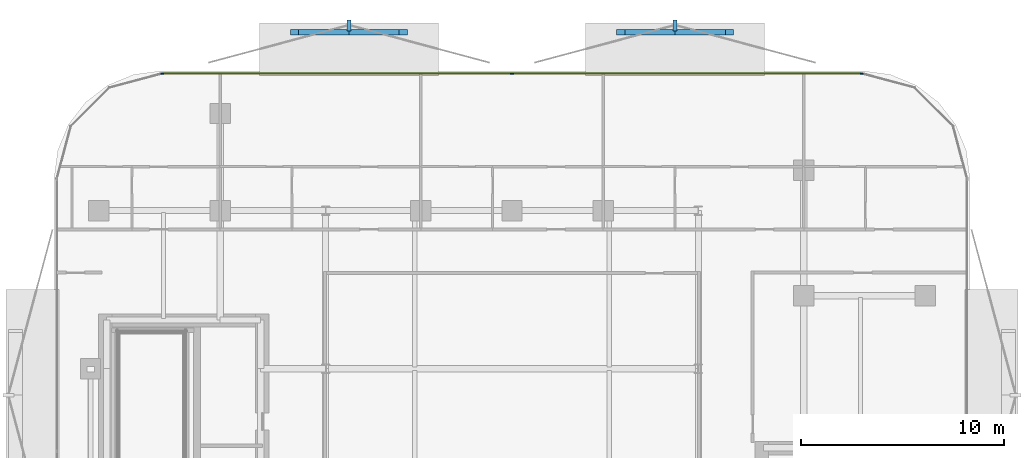
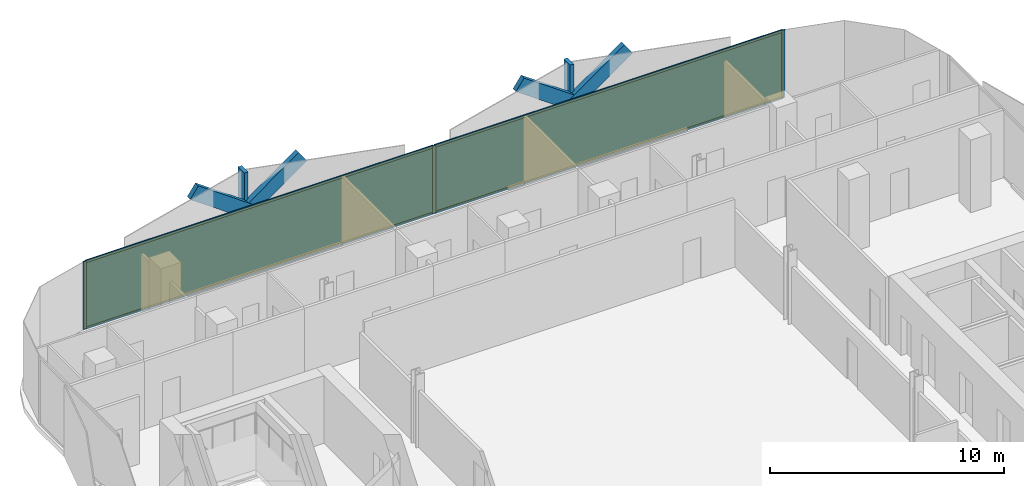
# One storey, part 12 of 17: 13 members, 2 plates, 1 curtain wall.
"""IFC4 building model written with IfcOpenShell, lengths in metres."""

from ifc_helpers import new_model, si_unit, direction, frame, frame_2d, origin, origin_2d, place, context, subcontext, project, spatial, rectangle, extrude, material, layer, layer_set, material_profile, profile_set, type_object, element, aggregate, save


model = new_model("IFC4")

# Units and contexts
model_context = context("Model", 3, precision=1e-05, world=origin(), true_north=direction((0.0, 1.0)))
body_context = subcontext(model_context, "Body", "Model", "MODEL_VIEW")
ifc_project = project(units=[si_unit("LENGTHUNIT", "METRE"), si_unit("AREAUNIT", "SQUARE_METRE"), si_unit("VOLUMEUNIT", "CUBIC_METRE"), si_unit("PLANEANGLEUNIT", "RADIAN"), si_unit("MASSUNIT", "GRAM", prefix="KILO")], contexts=[model_context])

# Member
ifc_material_1 = material(Name="Anodised Bronze Aluminium 6063-T6", Category="aluminium")
ifc_material_profile_1 = material_profile(ifc_material_1, rectangle(XDim=0.260009765625, YDim=0.699951171875, at=origin_2d()))
ifc_profile_set_1 = profile_set([ifc_material_profile_1], Name="Anodised Bronze Aluminium 6063-T6")
member_type_1 = type_object("IfcMemberType", Name="Bronze Diamond Solar-Screen Lattice Rib BDL-700", PredefinedType="MULLION", material=ifc_profile_set_1)
site_placement = place(None, origin())
building_placement = place(site_placement, origin())
storey_placement = place(building_placement, frame((0.0, 0.0, 165.0)))
member_1_placement = place(storey_placement, frame((-10.727294921875, 27.39990234375, -0.1298828125), z_axis=(0.815990902414, 0.0, 0.578064743067), x_axis=(0.0, 1.0, 0.0)))
member_1 = element("IfcMember", 1, at=member_1_placement, type_object=member_type_1, Name="L37 Bronze Diamond Solar Screen Lattice Rib 237A", PredefinedType="MULLION", context=body_context, shape_type="SweptSolid", body=[
    extrude(rectangle(XDim=0.260009765625, YDim=0.699951171875, at=origin_2d()), origin(), (0.0, 0.0, 1.0), 6.5732421875),
])

member_2_placement = place(storey_placement, frame((-5.363525390625, 27.39990234375, -0.1298828125), z_axis=(-0.815990902414, 0.0, 0.578064743067), x_axis=(0.0, -1.0, 0.0)))
member_2 = element("IfcMember", 2, at=member_2_placement, type_object=member_type_1, Name="L37 Bronze Diamond Solar Screen Lattice Rib 237B", PredefinedType="MULLION", context=body_context, shape_type="SweptSolid", body=[
    extrude(rectangle(XDim=0.260009765625, YDim=0.699951171875, at=origin_2d()), origin(), (0.0, 0.0, 1.0), 6.5732421875),
])

member_3_placement = place(storey_placement, frame((5.363525390625, 27.39990234375, -0.1298828125), z_axis=(0.815990902414, 0.0, 0.578064743067), x_axis=(0.0, 1.0, 0.0)))
member_3 = element("IfcMember", 3, at=member_3_placement, type_object=member_type_1, Name="L37 Bronze Diamond Solar Screen Lattice Rib 238A", PredefinedType="MULLION", context=body_context, shape_type="SweptSolid", body=[
    extrude(rectangle(XDim=0.260009765625, YDim=0.699951171875, at=origin_2d()), origin(), (0.0, 0.0, 1.0), 6.5732421875),
])

member_4_placement = place(storey_placement, frame((10.727294921875, 27.39990234375, -0.1298828125), z_axis=(-0.815990902414, 0.0, 0.578064743067), x_axis=(0.0, -1.0, 0.0)))
member_4 = element("IfcMember", 4, at=member_4_placement, type_object=member_type_1, Name="L37 Bronze Diamond Solar Screen Lattice Rib 238B", PredefinedType="MULLION", context=body_context, shape_type="SweptSolid", body=[
    extrude(rectangle(XDim=0.260009765625, YDim=0.699951171875, at=origin_2d()), origin(), (0.0, 0.0, 1.0), 6.5732421875),
])

ifc_material_2 = material(Name="Anodised Bronze Aluminium 6063-T6", Category="aluminium")
ifc_material_profile_2 = material_profile(ifc_material_2, rectangle(XDim=0.179931640625, YDim=0.5400390625, at=origin_2d()))
ifc_profile_set_2 = profile_set([ifc_material_profile_2], Name="Anodised Bronze Aluminium 6063-T6")
member_type_2 = type_object("IfcMemberType", Name="Bronze Solar-Screen Vertical Fold Fin BSF-540", PredefinedType="MULLION", material=ifc_profile_set_2)
member_5_placement = place(storey_placement, frame((-8.04541015625, 27.739990234375, -0.1298828125), z_axis=(0.0, 0.0, 1.0), x_axis=(1.0, 0.0, 0.0)))
member_5 = element("IfcMember", 5, at=member_5_placement, type_object=member_type_2, Name="L37 Bronze Solar Screen Vertical Fin 237", PredefinedType="MULLION", context=body_context, shape_type="SweptSolid", body=[
    extrude(rectangle(XDim=0.179931640625, YDim=0.5400390625, at=origin_2d()), origin(), (0.0, 0.0, 1.0), 3.7998046875),
])

member_6_placement = place(storey_placement, frame((8.04541015625, 27.739990234375, -0.1298828125), z_axis=(0.0, 0.0, 1.0), x_axis=(1.0, 0.0, 0.0)))
member_6 = element("IfcMember", 6, at=member_6_placement, type_object=member_type_2, Name="L37 Bronze Solar Screen Vertical Fin 238", PredefinedType="MULLION", context=body_context, shape_type="SweptSolid", body=[
    extrude(rectangle(XDim=0.179931640625, YDim=0.5400390625, at=origin_2d()), origin(), (0.0, 0.0, 1.0), 3.7998046875),
])

ifc_material_3 = material(Name="Anodised Bronze Aluminium 6063-T6", Category="aluminium")
ifc_material_profile_3 = material_profile(ifc_material_3, rectangle(XDim=0.06005859375, YDim=0.1650390625, at=origin_2d()))
ifc_profile_set_3 = profile_set([ifc_material_profile_3], Name="Anodised Bronze Aluminium 6063-T6")
member_type_3 = type_object("IfcMemberType", Name="CW-Z3 Mullion 60x165", PredefinedType="MULLION", material=ifc_profile_set_3)
member_7_placement = place(storey_placement, frame((-17.2607421875, 25.360107421875, 0.0), z_axis=(0.0, 0.0, 1.0), x_axis=(0.0, 1.0, 0.0)))
member_7 = element("IfcMember", 7, at=member_7_placement, type_object=member_type_3, Name="CW-Z3 mullion 1", PredefinedType="MULLION", context=body_context, shape_type="SweptSolid", body=[
    extrude(rectangle(XDim=0.06005859375, YDim=0.1650390625, at=origin_2d()), origin(), (0.0, 0.0, 1.0), 3.5400390625),
])

member_8_placement = place(storey_placement, frame((0.0, 25.360107421875, 0.0), z_axis=(0.0, 0.0, 1.0), x_axis=(0.0, 1.0, 0.0)))
member_8 = element("IfcMember", 8, at=member_8_placement, type_object=member_type_3, Name="CW-Z3 mullion 2", PredefinedType="MULLION", context=body_context, shape_type="SweptSolid", body=[
    extrude(rectangle(XDim=0.06005859375, YDim=0.1650390625, at=origin_2d()), origin(), (0.0, 0.0, 1.0), 3.5400390625),
])

member_9_placement = place(storey_placement, frame((17.2607421875, 25.360107421875, 0.0), z_axis=(0.0, 0.0, 1.0), x_axis=(0.0, 1.0, 0.0)))
member_9 = element("IfcMember", 9, at=member_9_placement, type_object=member_type_3, Name="CW-Z3 mullion 3", PredefinedType="MULLION", context=body_context, shape_type="SweptSolid", body=[
    extrude(rectangle(XDim=0.06005859375, YDim=0.1650390625, at=origin_2d()), origin(), (0.0, 0.0, 1.0), 3.5400390625),
])

ifc_material_4 = material(Name="Anodised Bronze Aluminium 6063-T6", Category="aluminium")
ifc_material_profile_4 = material_profile(ifc_material_4, rectangle(XDim=0.06005859375, YDim=0.1298828125, at=origin_2d()))
ifc_profile_set_4 = profile_set([ifc_material_profile_4], Name="Anodised Bronze Aluminium 6063-T6")
member_type_4 = type_object("IfcMemberType", Name="CW-Z3 Transom 60x130", PredefinedType="USERDEFINED", material=ifc_profile_set_4)
member_10_placement = place(storey_placement, frame((-17.230712890625, 25.360107421875, 0.030029296875), z_axis=(1.0, 0.0, 0.0), x_axis=(0.0, 1.0, 0.0)))
member_10 = element("IfcMember", 10, at=member_10_placement, type_object=member_type_4, Name="CW-Z3 transom 1.1", ObjectType="TRANSOM", PredefinedType="USERDEFINED", context=body_context, shape_type="SweptSolid", body=[
    extrude(rectangle(XDim=0.06005859375, YDim=0.1298828125, at=origin_2d()), origin(), (0.0, 0.0, 1.0), 17.20068359375),
])

member_11_placement = place(storey_placement, frame((-17.230712890625, 25.360107421875, 3.510009765625), z_axis=(1.0, 0.0, 0.0), x_axis=(0.0, 1.0, 0.0)))
member_11 = element("IfcMember", 11, at=member_11_placement, type_object=member_type_4, Name="CW-Z3 transom 1.2", ObjectType="TRANSOM", PredefinedType="USERDEFINED", context=body_context, shape_type="SweptSolid", body=[
    extrude(rectangle(XDim=0.06005859375, YDim=0.1298828125, at=origin_2d()), origin(), (0.0, 0.0, 1.0), 17.20068359375),
])

member_12_placement = place(storey_placement, frame((0.030029296875, 25.360107421875, 0.030029296875), z_axis=(1.0, 0.0, 0.0), x_axis=(0.0, 1.0, 0.0)))
member_12 = element("IfcMember", 12, at=member_12_placement, type_object=member_type_4, Name="CW-Z3 transom 2.1", ObjectType="TRANSOM", PredefinedType="USERDEFINED", context=body_context, shape_type="SweptSolid", body=[
    extrude(rectangle(XDim=0.06005859375, YDim=0.1298828125, at=origin_2d()), origin(), (0.0, 0.0, 1.0), 17.20068359375),
])

member_13_placement = place(storey_placement, frame((0.030029296875, 25.360107421875, 3.510009765625), z_axis=(1.0, 0.0, 0.0), x_axis=(0.0, 1.0, 0.0)))
member_13 = element("IfcMember", 13, at=member_13_placement, type_object=member_type_4, Name="CW-Z3 transom 2.2", ObjectType="TRANSOM", PredefinedType="USERDEFINED", context=body_context, shape_type="SweptSolid", body=[
    extrude(rectangle(XDim=0.06005859375, YDim=0.1298828125, at=origin_2d()), origin(), (0.0, 0.0, 1.0), 17.20068359375),
])

# Plate
ifc_material_5 = material(Name="Low-E Solar Control Laminated Glass", Category="glass")
ifc_layer_1 = layer(ifc_material_5, 0.030029296875, Name="Low-E Solar Control Laminated Glass")
ifc_layer_set_1 = layer_set([ifc_layer_1], Name="Low-E Solar Control Laminated Glass")
plate_type = type_object("IfcPlateType", Name="CW-Z3 Low-E Double Glazed Panel 30mm", PredefinedType="CURTAIN_PANEL", material=ifc_layer_set_1)
plate_1_placement = place(storey_placement, frame((-8.63037109375, 25.360107421875, 0.06005859375), z_axis=(0.0, 0.0, 1.0), x_axis=(1.0, 0.0, 0.0)))
plate_1 = element("IfcPlate", 14, at=plate_1_placement, type_object=plate_type, Name="CW-Z3 panel 1.1", PredefinedType="CURTAIN_PANEL", context=body_context, shape_type="SweptSolid", body=[
    extrude(rectangle(XDim=17.20068359375, YDim=0.030029296875, at=origin_2d()), origin(), (0.0, 0.0, 1.0), 3.419921875),
])

plate_2_placement = place(storey_placement, frame((8.63037109375, 25.360107421875, 0.06005859375), z_axis=(0.0, 0.0, 1.0), x_axis=(1.0, 0.0, 0.0)))
plate_2 = element("IfcPlate", 15, at=plate_2_placement, type_object=plate_type, Name="CW-Z3 panel 2.1", PredefinedType="CURTAIN_PANEL", context=body_context, shape_type="SweptSolid", body=[
    extrude(rectangle(XDim=17.20068359375, YDim=0.030029296875, at=origin_2d()), origin(), (0.0, 0.0, 1.0), 3.419921875),
])

# Site, building, storey
site = spatial("IfcSite", under=ifc_project, at=site_placement, CompositionType="ELEMENT")
building = spatial("IfcBuilding", under=site, at=building_placement, Name="Khairoan Windgate Tower", CompositionType="ELEMENT")
storey = spatial("IfcBuildingStorey", under=building, at=storey_placement, Name="L37", CompositionType="ELEMENT", Elevation=165.0)

# Curtain wall
ifc_material_6 = material(Name="Anodised Bronze Aluminium 6063-T6", Category="aluminium")
ifc_layer_2 = layer(ifc_material_6, 0.1650390625, Name="Anodised Bronze Aluminium 6063-T6")
ifc_layer_set_2 = layer_set([ifc_layer_2], Name="Anodised Bronze Aluminium 6063-T6")
curtain_wall_type = type_object("IfcCurtainWallType", Name="Luxury Hotel Acoustic Curtain Wall CW-Z3", PredefinedType="NOTDEFINED", material=ifc_layer_set_2)
curtain_wall_placement = place(storey_placement, frame((-17.290771484375, 25.360107421875, 0.0), z_axis=(0.0, 0.0, 1.0), x_axis=(1.0, 0.0, 0.0)))
curtain_wall = element("IfcCurtainWall", 16, at=curtain_wall_placement, inside=storey, type_object=curtain_wall_type, Name="L37 Unitised Curtain Wall 9", PredefinedType="NOTDEFINED", context=body_context, shape_type="SweptSolid", body=[
    extrude(rectangle(XDim=34.58154296875, YDim=0.010009765625, at=frame_2d((17.290771484375, 0.0))), origin(), (0.0, 0.0, 1.0), 3.5400390625),
])

aggregate(curtain_wall, [member_7, member_8, member_9, member_10, member_11, plate_1, member_12, member_13, plate_2, member_1, member_2, member_5, member_3, member_4, member_6])

save(model, "model.ifc")
